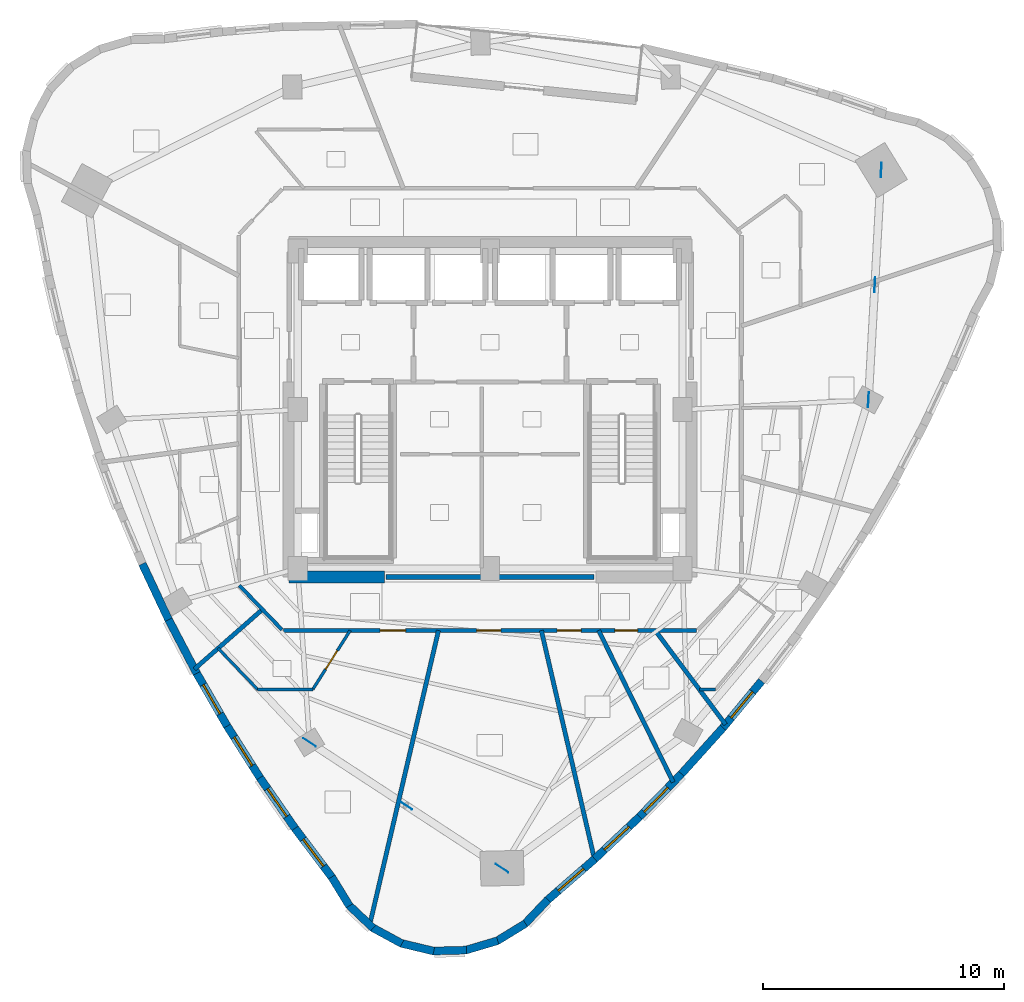
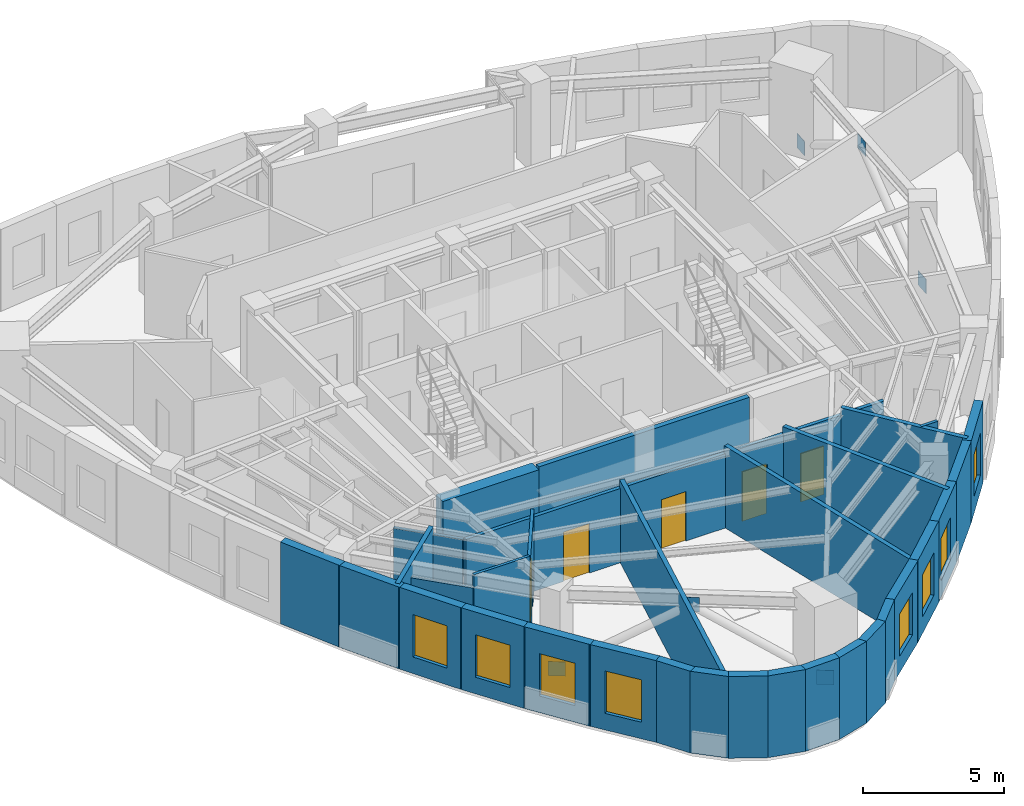
# One storey, part 5 of 12: 32 walls, 8 windows, 6 plates, 5 doors, 13 openings.
"""IFC4 building model written with IfcOpenShell, lengths in metres."""

from ifc_helpers import new_model, si_unit, direction, frame, frame_2d, origin, origin_2d, place, context, subcontext, project, spatial, rectangle, extrude, material, layer, layer_set, type_object, element, fill, save


model = new_model("IFC4")

# Units and contexts
model_context = context("Model", 3, precision=1e-05, world=origin(), true_north=direction((0.0, 1.0)))
body_context = subcontext(model_context, "Body", "Model", "MODEL_VIEW")
ifc_project = project(units=[si_unit("LENGTHUNIT", "METRE"), si_unit("AREAUNIT", "SQUARE_METRE"), si_unit("VOLUMEUNIT", "CUBIC_METRE"), si_unit("PLANEANGLEUNIT", "RADIAN"), si_unit("MASSUNIT", "GRAM", prefix="KILO")], contexts=[model_context])

# Site, building, storey
site_placement = place(None, origin())
site = spatial("IfcSite", under=ifc_project, at=site_placement, CompositionType="ELEMENT")
building_placement = place(site_placement, origin())
building = spatial("IfcBuilding", under=site, at=building_placement, Name="Ndelora Gate Hotel", CompositionType="ELEMENT")
storey_placement = place(building_placement, frame((0.0, 0.0, 190.35009765625)))
storey = spatial("IfcBuildingStorey", under=building, at=storey_placement, Name="L47", CompositionType="ELEMENT", Elevation=190.35009765625)

# Plates
ifc_material_1 = material(Name="Steel S355", Category="steel")
ifc_layer_1 = layer(ifc_material_1, 0.02001953125)
ifc_layer_set_1 = layer_set([ifc_layer_1], Name="Steel S355")
plate_type = type_object("IfcPlateType", Name="PL-NODE-VN1", PredefinedType="USERDEFINED", material=ifc_layer_set_1)
for number, where, z_axis, x_axis, name in (
    (1, (-7.50830078125, -13.828369140625, -0.2900390625), (0.0, 0.0, 1.0), (-0.836955398099, 0.547271104292, 0.0), "Node gusset cap plate VN1"),
    (2, (0.499267578125, -19.064208984375, -0.2900390625), (0.0, 0.0, 1.0), (-0.836955398099, 0.547271104292, 0.0), "Node gusset cap plate VN1"),
    (3, (-3.50439453125, -16.4462890625, 2.68994140625), (0.0, 0.0, 1.0), (-0.836955398099, 0.547271104292, 0.0), "Node gusset cap plate VN1"),
    (4, (15.72998046875, 0.411865234375, -0.2900390625), (0.0, 0.0, 1.0), (0.055472980025, 0.998460188734, 0.0), "Node gusset cap plate VN1"),
    (5, (16.26025390625, 9.96435546875, -0.2900390625), (0.0, 0.0, 1.0), (0.055472980025, 0.998460188734, 0.0), "Node gusset cap plate VN1"),
    (6, (15.9951171875, 5.18798828125, 2.68994140625), (0.0, 0.0, 1.0), (0.055472980025, 0.998460188734, 0.0), "Node gusset cap plate VN1"),
):
    element("IfcPlate", number, at=place(storey_placement, frame(where, z_axis=z_axis, x_axis=x_axis)), inside=storey, type_object=plate_type, Name=name, ObjectType="GUSSET_PLATE", PredefinedType="USERDEFINED", context=body_context, shape_type="SweptSolid", body=[
        extrude(rectangle(XDim=0.6201171875, YDim=0.02001953125, at=origin_2d()), origin(), (0.0, 0.0, 1.0), 0.6201171875),
    ])

# Walls
ifc_material_2 = material(Name="Acoustic Double-Stud Gypsum Assembly", Category="gypsum")
ifc_layer_2 = layer(ifc_material_2, 0.179931640625)
ifc_layer_set_2 = layer_set([ifc_layer_2], Name="Acoustic Double-Stud Gypsum Assembly")
wall_type_1 = type_object("IfcWallType", Name="WL-ACOUST-180", PredefinedType="PARTITIONING", material=ifc_layer_set_2)
wall_1_placement = place(storey_placement, frame((6.866943359375, -9.179931640625, 0.0), z_axis=(0.0, 0.0, 1.0), x_axis=(0.598991453889, -0.800755417195, 0.0)))
element("IfcWall", 7, at=wall_1_placement, inside=storey, type_object=wall_type_1, Name="L47 Interior Wall IW-3", PredefinedType="PARTITIONING", context=body_context, shape_type="SweptSolid", body=[
    extrude(rectangle(XDim=4.882568359375, YDim=0.179931640625, at=frame_2d((2.44140625, 0.0))), origin(), (0.0, 0.0, 1.0), 3.5498046875),
])
wall_2_placement = place(storey_placement, frame((-9.464111328125, -8.3037109375, 0.0), z_axis=(0.0, 0.0, 1.0), x_axis=(-0.751699255643, -0.659506049302, 0.0)))
element("IfcWall", 8, at=wall_2_placement, inside=storey, type_object=wall_type_1, Name="L47 Interior Wall IW-3", PredefinedType="PARTITIONING", context=body_context, shape_type="SweptSolid", body=[
    extrude(rectangle(XDim=3.76025390625, YDim=0.179931640625, at=frame_2d((1.880126953125, 0.0))), origin(), (0.0, 0.0, 1.0), 3.5498046875),
])
wall_3_placement = place(storey_placement, frame((-2.14501953125, -9.179931640625, 0.0), z_axis=(0.0, 0.0, 1.0), x_axis=(-0.22755258656, -0.973765793376, 0.0)))
element("IfcWall", 9, at=wall_3_placement, inside=storey, type_object=wall_type_1, Name="L47 Interior Wall IW-3", PredefinedType="PARTITIONING", context=body_context, shape_type="SweptSolid", body=[
    extrude(rectangle(XDim=12.569091796875, YDim=0.179931640625, at=frame_2d((6.28466796875, 0.0))), origin(), (0.0, 0.0, 1.0), 3.5498046875),
])
wall_4_placement = place(storey_placement, frame((2.131591796875, -9.179931640625, 0.0), z_axis=(0.0, 0.0, 1.0), x_axis=(0.226196232917, -0.974081754379, 0.0)))
element("IfcWall", 10, at=wall_4_placement, inside=storey, type_object=wall_type_1, Name="L47 Interior Wall IW-3", PredefinedType="PARTITIONING", context=body_context, shape_type="SweptSolid", body=[
    extrude(rectangle(XDim=9.762451171875, YDim=0.179931640625, at=frame_2d((4.88134765625, 0.0))), origin(), (0.0, 0.0, 1.0), 3.5498046875),
])
wall_5_placement = place(storey_placement, frame((4.51416015625, -9.179931640625, 0.0), z_axis=(0.0, 0.0, 1.0), x_axis=(0.441285267702, -0.897366877319, 0.0)))
element("IfcWall", 11, at=wall_5_placement, inside=storey, type_object=wall_type_1, Name="L47 Interior Wall IW-3", PredefinedType="PARTITIONING", context=body_context, shape_type="SweptSolid", body=[
    extrude(rectangle(XDim=7.029052734375, YDim=0.179931640625, at=frame_2d((3.5146484375, 0.0))), origin(), (0.0, 0.0, 1.0), 3.5498046875),
])
ifc_material_3 = material(Name="Clay Brick Masonry", Category="masonry")
ifc_layer_3 = layer(ifc_material_3, 0.330078125)
ifc_layer_set_3 = layer_set([ifc_layer_3], Name="Clay Brick Masonry")
wall_type_2 = type_object("IfcWallType", Name="WL-BRICK-330", PredefinedType="SOLIDWALL", material=ifc_layer_set_3)
wall_6_placement = place(storey_placement, frame((-13.364990234375, -8.7314453125, 0.0), z_axis=(0.0, 0.0, 1.0), x_axis=(-0.425774125911, 0.90482948322, 0.0)))
element("IfcWall", 12, at=wall_6_placement, inside=storey, type_object=wall_type_2, Name="L47 Tower Brick Pier-and-Spandrel Wall TWR-15", PredefinedType="SOLIDWALL", context=body_context, shape_type="SweptSolid", body=[
    extrude(rectangle(XDim=2.56591796875, YDim=0.330078125, at=frame_2d((1.282958984375, 0.0))), origin(), (0.0, 0.0, 1.0), 3.5498046875),
])
wall_7_placement = place(storey_placement, frame((-12.196044921875, -10.964599609375, 0.0), z_axis=(0.0, 0.0, 1.0), x_axis=(-0.463361004434, 0.886169611062, 0.0)))
element("IfcWall", 13, at=wall_7_placement, inside=storey, type_object=wall_type_2, Name="L47 Tower Brick Pier-and-Spandrel Wall TWR-16", PredefinedType="SOLIDWALL", context=body_context, shape_type="SweptSolid", body=[
    extrude(rectangle(XDim=2.57080078125, YDim=0.330078125, at=frame_2d((1.285400390625, 0.0))), origin(), (0.0, 0.0, 1.0), 3.5498046875),
])

# Wall, opening, window
wall_8_placement = place(storey_placement, frame((-10.930908203125, -13.15478515625, 0.0), z_axis=(0.0, 0.0, 1.0), x_axis=(-0.499875407217, 0.866097325513, 0.0)))
wall_8 = element("IfcWall", 14, at=wall_8_placement, inside=storey, type_object=wall_type_2, Name="L47 Tower Brick Pier-and-Spandrel Wall TWR-17", PredefinedType="SOLIDWALL", context=body_context, shape_type="SweptSolid", body=[
    extrude(rectangle(XDim=2.579345703125, YDim=0.330078125, at=frame_2d((1.28955078125, 0.0))), origin(), (0.0, 0.0, 1.0), 3.5498046875),
])
opening_1_placement = place(wall_8_placement, frame((0.589599609375, 0.0, 0.719970703125)))
opening_1 = element("IfcOpeningElement", 15, at=opening_1_placement, cuts=wall_8, Name="Opening W02", PredefinedType="OPENING", context=body_context, shape_type="SweptSolid", body=[
    extrude(rectangle(XDim=1.39990234375, YDim=1.840087890625, at=frame_2d((0.699951171875, 0.919921875))), frame((0.0, 0.175048828125, 0.0), z_axis=(0.0, -1.0, 0.0), x_axis=(1.0, 0.0, 0.0)), (0.0, 0.0, 1.0), 0.35009765625),
])
ifc_material_4 = material(Name="Insulated Low-E Double Glazing in Bronze Aluminium Frame", Category="aluminium")
window_type = type_object("IfcWindowType", Name="WN-DEEP-1400", PartitioningType="SINGLE_PANEL", PredefinedType="WINDOW", material=ifc_material_4)
window_1_placement = place(opening_1_placement, origin())
window_1 = element("IfcWindow", 16, at=window_1_placement, inside=storey, type_object=window_type, Name="L47 Deep-Set Brick-Pier Window W02", OverallHeight=1.840087890625, OverallWidth=1.39990234375, PartitioningType="SINGLE_PANEL", PredefinedType="WINDOW", context=body_context, shape_type="SweptSolid", body=[
    extrude(rectangle(XDim=1.39990234375, YDim=1.840087890625, at=frame_2d((0.699951171875, 0.919921875))), frame((0.0, 0.030029296875, 0.0), z_axis=(0.0, -1.0, 0.0), x_axis=(1.0, 0.0, 0.0)), (0.0, 0.0, 1.0), 0.06005859375),
])
fill(opening_1, window_1)

wall_9_placement = place(storey_placement, frame((-9.5693359375, -15.302001953125, 0.0), z_axis=(0.0, 0.0, 1.0), x_axis=(-0.535186500918, 0.844733928072, 0.0)))
wall_9 = element("IfcWall", 17, at=wall_9_placement, inside=storey, type_object=wall_type_2, Name="L47 Tower Brick Pier-and-Spandrel Wall TWR-18", PredefinedType="SOLIDWALL", context=body_context, shape_type="SweptSolid", body=[
    extrude(rectangle(XDim=2.592529296875, YDim=0.330078125, at=frame_2d((1.29638671875, 0.0))), origin(), (0.0, 0.0, 1.0), 3.5498046875),
])
opening_2_placement = place(wall_9_placement, frame((0.59619140625, 0.0, 0.719970703125)))
opening_2 = element("IfcOpeningElement", 18, at=opening_2_placement, cuts=wall_9, Name="Opening W02", PredefinedType="OPENING", context=body_context, shape_type="SweptSolid", body=[
    extrude(rectangle(XDim=1.39990234375, YDim=1.840087890625, at=frame_2d((0.699951171875, 0.919921875))), frame((0.0, 0.175048828125, 0.0), z_axis=(0.0, -1.0, 0.0), x_axis=(1.0, 0.0, 0.0)), (0.0, 0.0, 1.0), 0.35009765625),
])
window_2_placement = place(opening_2_placement, origin())
window_2 = element("IfcWindow", 19, at=window_2_placement, inside=storey, type_object=window_type, Name="L47 Deep-Set Brick-Pier Window W02", OverallHeight=1.840087890625, OverallWidth=1.39990234375, PartitioningType="SINGLE_PANEL", PredefinedType="WINDOW", context=body_context, shape_type="SweptSolid", body=[
    extrude(rectangle(XDim=1.39990234375, YDim=1.840087890625, at=frame_2d((0.699951171875, 0.919921875))), frame((0.0, 0.030029296875, 0.0), z_axis=(0.0, -1.0, 0.0), x_axis=(1.0, 0.0, 0.0)), (0.0, 0.0, 1.0), 0.06005859375),
])
fill(opening_2, window_2)

wall_10_placement = place(storey_placement, frame((-8.111572265625, -17.406494140625, 0.0), z_axis=(0.0, 0.0, 1.0), x_axis=(-0.569122418308, 0.822252803571, 0.0)))
wall_10 = element("IfcWall", 20, at=wall_10_placement, inside=storey, type_object=wall_type_2, Name="L47 Tower Brick Pier-and-Spandrel Wall TWR-19", PredefinedType="SOLIDWALL", context=body_context, shape_type="SweptSolid", body=[
    extrude(rectangle(XDim=2.60986328125, YDim=0.330078125, at=frame_2d((1.304931640625, 0.0))), origin(), (0.0, 0.0, 1.0), 3.5498046875),
])
opening_3_placement = place(wall_10_placement, frame((0.60498046875, 0.0, 0.719970703125)))
opening_3 = element("IfcOpeningElement", 21, at=opening_3_placement, cuts=wall_10, Name="Opening W02", PredefinedType="OPENING", context=body_context, shape_type="SweptSolid", body=[
    extrude(rectangle(XDim=1.39990234375, YDim=1.840087890625, at=frame_2d((0.699951171875, 0.919921875))), frame((0.0, 0.175048828125, 0.0), z_axis=(0.0, -1.0, 0.0), x_axis=(1.0, 0.0, 0.0)), (0.0, 0.0, 1.0), 0.35009765625),
])
window_3_placement = place(opening_3_placement, origin())
window_3 = element("IfcWindow", 22, at=window_3_placement, inside=storey, type_object=window_type, Name="L47 Deep-Set Brick-Pier Window W02", OverallHeight=1.840087890625, OverallWidth=1.39990234375, PartitioningType="SINGLE_PANEL", PredefinedType="WINDOW", context=body_context, shape_type="SweptSolid", body=[
    extrude(rectangle(XDim=1.39990234375, YDim=1.840087890625, at=frame_2d((0.699951171875, 0.919921875))), frame((0.0, 0.030029296875, 0.0), z_axis=(0.0, -1.0, 0.0), x_axis=(1.0, 0.0, 0.0)), (0.0, 0.0, 1.0), 0.06005859375),
])
fill(opening_3, window_3)

wall_11_placement = place(storey_placement, frame((-6.55712890625, -19.4677734375, 0.0), z_axis=(0.0, 0.0, 1.0), x_axis=(-0.601735324528, 0.798695561034, 0.0)))
wall_11 = element("IfcWall", 23, at=wall_11_placement, inside=storey, type_object=wall_type_2, Name="L47 Tower Brick Pier-and-Spandrel Wall TWR-20", PredefinedType="SOLIDWALL", context=body_context, shape_type="SweptSolid", body=[
    extrude(rectangle(XDim=2.631591796875, YDim=0.330078125, at=frame_2d((1.31591796875, 0.0))), origin(), (0.0, 0.0, 1.0), 3.5498046875),
])
opening_4_placement = place(wall_11_placement, frame((0.61572265625, 0.0, 0.719970703125)))
opening_4 = element("IfcOpeningElement", 24, at=opening_4_placement, cuts=wall_11, Name="Opening W02", PredefinedType="OPENING", context=body_context, shape_type="SweptSolid", body=[
    extrude(rectangle(XDim=1.39990234375, YDim=1.840087890625, at=frame_2d((0.699951171875, 0.919921875))), frame((0.0, 0.175048828125, 0.0), z_axis=(0.0, -1.0, 0.0), x_axis=(1.0, 0.0, 0.0)), (0.0, 0.0, 1.0), 0.35009765625),
])
window_4_placement = place(opening_4_placement, origin())
window_4 = element("IfcWindow", 25, at=window_4_placement, inside=storey, type_object=window_type, Name="L47 Deep-Set Brick-Pier Window W02", OverallHeight=1.840087890625, OverallWidth=1.39990234375, PartitioningType="SINGLE_PANEL", PredefinedType="WINDOW", context=body_context, shape_type="SweptSolid", body=[
    extrude(rectangle(XDim=1.39990234375, YDim=1.840087890625, at=frame_2d((0.699951171875, 0.919921875))), frame((0.0, 0.030029296875, 0.0), z_axis=(0.0, -1.0, 0.0), x_axis=(1.0, 0.0, 0.0)), (0.0, 0.0, 1.0), 0.06005859375),
])
fill(opening_4, window_4)

# Walls
for number, where, z_axis, x_axis, name in (
    (26, (-5.849853515625, -20.626708984375, 0.0), (0.0, 0.0, 1.0), (-0.522431898615, 0.852681013809, 0.0), "L47 Tower Brick Pier-and-Spandrel Wall TWR-21"),
    (27, (-4.860107421875, -21.556884765625, 0.0), (0.0, 0.0, 1.0), (-0.725423722687, 0.688302566146, 0.0), "L47 Tower Brick Pier-and-Spandrel Wall TWR-22"),
):
    element("IfcWall", number, at=place(storey_placement, frame(where, z_axis=z_axis, x_axis=x_axis)), inside=storey, type_object=wall_type_2, Name=name, PredefinedType="SOLIDWALL", context=body_context, shape_type="SweptSolid", body=[
        extrude(rectangle(XDim=1.407470703125, YDim=0.330078125, at=frame_2d((0.70361328125, 0.0))), origin(), (0.0, 0.0, 1.0), 3.5498046875),
    ])
wall_12_placement = place(storey_placement, frame((-3.663330078125, -22.19921875, 0.0), z_axis=(0.0, 0.0, 1.0), x_axis=(-0.878861744685, 0.477076549129, 0.0)))
element("IfcWall", 28, at=wall_12_placement, inside=storey, type_object=wall_type_2, Name="L47 Tower Brick Pier-and-Spandrel Wall TWR-23", PredefinedType="SOLIDWALL", context=body_context, shape_type="SweptSolid", body=[
    extrude(rectangle(XDim=1.4072265625, YDim=0.330078125, at=frame_2d((0.70361328125, 0.0))), origin(), (0.0, 0.0, 1.0), 3.5498046875),
])
for number, where, z_axis, x_axis, name in (
    (29, (-2.341064453125, -22.510009765625, 0.0), (0.0, 0.0, 1.0), (-0.972404618844, 0.233300787076, 0.0), "L47 Tower Brick Pier-and-Spandrel Wall TWR-24"),
    (30, (-0.9833984375, -22.468017578125, 0.0), (0.0, 0.0, 1.0), (-0.999656913907, -0.02619264168, 0.0), "L47 Tower Brick Pier-and-Spandrel Wall TWR-25"),
    (31, (0.3173828125, -22.076171875, 0.0), (0.0, 0.0, 1.0), (-0.95884184708, -0.283940684455, 0.0), "L47 Tower Brick Pier-and-Spandrel Wall TWR-26"),
):
    element("IfcWall", number, at=place(storey_placement, frame(where, z_axis=z_axis, x_axis=x_axis)), inside=storey, type_object=wall_type_2, Name=name, PredefinedType="SOLIDWALL", context=body_context, shape_type="SweptSolid", body=[
        extrude(rectangle(XDim=1.407470703125, YDim=0.330078125, at=frame_2d((0.70361328125, 0.0))), origin(), (0.0, 0.0, 1.0), 3.5498046875),
    ])
wall_13_placement = place(storey_placement, frame((1.471923828125, -21.36083984375, 0.0), z_axis=(0.0, 0.0, 1.0), x_axis=(-0.852633662668, -0.522509174355, 0.0)))
element("IfcWall", 32, at=wall_13_placement, inside=storey, type_object=wall_type_2, Name="L47 Tower Brick Pier-and-Spandrel Wall TWR-27", PredefinedType="SOLIDWALL", context=body_context, shape_type="SweptSolid", body=[
    extrude(rectangle(XDim=1.4072265625, YDim=0.330078125, at=frame_2d((0.70361328125, 0.0))), origin(), (0.0, 0.0, 1.0), 3.5498046875),
])
wall_14_placement = place(storey_placement, frame((2.40234375, -20.37109375, 0.0), z_axis=(0.0, 0.0, 1.0), x_axis=(-0.688302566146, -0.725423722687, 0.0)))
element("IfcWall", 33, at=wall_14_placement, inside=storey, type_object=wall_type_2, Name="L47 Tower Brick Pier-and-Spandrel Wall TWR-28", PredefinedType="SOLIDWALL", context=body_context, shape_type="SweptSolid", body=[
    extrude(rectangle(XDim=1.407470703125, YDim=0.330078125, at=frame_2d((0.70361328125, 0.0))), origin(), (0.0, 0.0, 1.0), 3.5498046875),
])

# Wall, opening, window
wall_15_placement = place(storey_placement, frame((4.352294921875, -18.678955078125, 0.0), z_axis=(0.0, 0.0, 1.0), x_axis=(-0.754647459821, -0.656130483505, 0.0)))
wall_15 = element("IfcWall", 34, at=wall_15_placement, inside=storey, type_object=wall_type_2, Name="L47 Tower Brick Pier-and-Spandrel Wall TWR-29", PredefinedType="SOLIDWALL", context=body_context, shape_type="SweptSolid", body=[
    extrude(rectangle(XDim=2.6318359375, YDim=0.330078125, at=frame_2d((1.31591796875, 0.0))), origin(), (0.0, 0.0, 1.0), 3.5498046875),
])
opening_5_placement = place(wall_15_placement, frame((0.61572265625, 0.0, 0.719970703125)))
opening_5 = element("IfcOpeningElement", 35, at=opening_5_placement, cuts=wall_15, Name="Opening W02", PredefinedType="OPENING", context=body_context, shape_type="SweptSolid", body=[
    extrude(rectangle(XDim=1.39990234375, YDim=1.840087890625, at=frame_2d((0.699951171875, 0.919921875))), frame((0.0, 0.175048828125, 0.0), z_axis=(0.0, -1.0, 0.0), x_axis=(1.0, 0.0, 0.0)), (0.0, 0.0, 1.0), 0.35009765625),
])
window_5_placement = place(opening_5_placement, origin())
window_5 = element("IfcWindow", 36, at=window_5_placement, inside=storey, type_object=window_type, Name="L47 Deep-Set Brick-Pier Window W02", OverallHeight=1.840087890625, OverallWidth=1.39990234375, PartitioningType="SINGLE_PANEL", PredefinedType="WINDOW", context=body_context, shape_type="SweptSolid", body=[
    extrude(rectangle(XDim=1.39990234375, YDim=1.840087890625, at=frame_2d((0.699951171875, 0.919921875))), frame((0.0, 0.030029296875, 0.0), z_axis=(0.0, -1.0, 0.0), x_axis=(1.0, 0.0, 0.0)), (0.0, 0.0, 1.0), 0.06005859375),
])
fill(opening_5, window_5)

wall_16_placement = place(storey_placement, frame((6.214599609375, -16.92236328125, 0.0), z_axis=(0.0, 0.0, 1.0), x_axis=(-0.72774946529, -0.685843069346, 0.0)))
wall_16 = element("IfcWall", 37, at=wall_16_placement, inside=storey, type_object=wall_type_2, Name="L47 Tower Brick Pier-and-Spandrel Wall TWR-30", PredefinedType="SOLIDWALL", context=body_context, shape_type="SweptSolid", body=[
    extrude(rectangle(XDim=2.60986328125, YDim=0.330078125, at=frame_2d((1.304931640625, 0.0))), origin(), (0.0, 0.0, 1.0), 3.5498046875),
])
opening_6_placement = place(wall_16_placement, frame((0.60498046875, 0.0, 0.719970703125)))
opening_6 = element("IfcOpeningElement", 38, at=opening_6_placement, cuts=wall_16, Name="Opening W02", PredefinedType="OPENING", context=body_context, shape_type="SweptSolid", body=[
    extrude(rectangle(XDim=1.39990234375, YDim=1.840087890625, at=frame_2d((0.699951171875, 0.919921875))), frame((0.0, 0.175048828125, 0.0), z_axis=(0.0, -1.0, 0.0), x_axis=(1.0, 0.0, 0.0)), (0.0, 0.0, 1.0), 0.35009765625),
])
window_6_placement = place(opening_6_placement, origin())
window_6 = element("IfcWindow", 39, at=window_6_placement, inside=storey, type_object=window_type, Name="L47 Deep-Set Brick-Pier Window W02", OverallHeight=1.840087890625, OverallWidth=1.39990234375, PartitioningType="SINGLE_PANEL", PredefinedType="WINDOW", context=body_context, shape_type="SweptSolid", body=[
    extrude(rectangle(XDim=1.39990234375, YDim=1.840087890625, at=frame_2d((0.699951171875, 0.919921875))), frame((0.0, 0.030029296875, 0.0), z_axis=(0.0, -1.0, 0.0), x_axis=(1.0, 0.0, 0.0)), (0.0, 0.0, 1.0), 0.06005859375),
])
fill(opening_6, window_6)

wall_17_placement = place(storey_placement, frame((7.9912109375, -15.103515625, 0.0), z_axis=(0.0, 0.0, 1.0), x_axis=(-0.699057723408, -0.71506524132, 0.0)))
wall_17 = element("IfcWall", 40, at=wall_17_placement, inside=storey, type_object=wall_type_2, Name="L47 Tower Brick Pier-and-Spandrel Wall TWR-31", PredefinedType="SOLIDWALL", context=body_context, shape_type="SweptSolid", body=[
    extrude(rectangle(XDim=2.5927734375, YDim=0.330078125, at=frame_2d((1.29638671875, 0.0))), origin(), (0.0, 0.0, 1.0), 3.5498046875),
])
opening_7_placement = place(wall_17_placement, frame((0.860107421875, 0.0, 0.719970703125)))
opening_7 = element("IfcOpeningElement", 41, at=opening_7_placement, cuts=wall_17, Name="Opening W02", PredefinedType="OPENING", context=body_context, shape_type="SweptSolid", body=[
    extrude(rectangle(XDim=1.39990234375, YDim=1.840087890625, at=frame_2d((0.699951171875, 0.919921875))), frame((0.0, 0.175048828125, 0.0), z_axis=(0.0, -1.0, 0.0), x_axis=(1.0, 0.0, 0.0)), (0.0, 0.0, 1.0), 0.35009765625),
])
window_7_placement = place(opening_7_placement, origin())
window_7 = element("IfcWindow", 42, at=window_7_placement, inside=storey, type_object=window_type, Name="L47 Deep-Set Brick-Pier Window W02", OverallHeight=1.840087890625, OverallWidth=1.39990234375, PartitioningType="SINGLE_PANEL", PredefinedType="WINDOW", context=body_context, shape_type="SweptSolid", body=[
    extrude(rectangle(XDim=1.39990234375, YDim=1.840087890625, at=frame_2d((0.699951171875, 0.919921875))), frame((0.0, 0.030029296875, 0.0), z_axis=(0.0, -1.0, 0.0), x_axis=(1.0, 0.0, 0.0)), (0.0, 0.0, 1.0), 0.06005859375),
])
fill(opening_7, window_7)

# Wall
wall_18_placement = place(storey_placement, frame((9.6826171875, -13.222900390625, 0.0), z_axis=(0.0, 0.0, 1.0), x_axis=(-0.668980419183, -0.743280027143, 0.0)))
element("IfcWall", 43, at=wall_18_placement, inside=storey, type_object=wall_type_2, Name="L47 Tower Brick Pier-and-Spandrel Wall TWR-32", PredefinedType="SOLIDWALL", context=body_context, shape_type="SweptSolid", body=[
    extrude(rectangle(XDim=2.579345703125, YDim=0.330078125, at=frame_2d((1.28955078125, 0.0))), origin(), (0.0, 0.0, 1.0), 3.5498046875),
])

# Wall, opening, window
wall_19_placement = place(storey_placement, frame((11.28857421875, -11.280029296875, 0.0), z_axis=(0.0, 0.0, 1.0), x_axis=(-0.637443312207, -0.77049725744, 0.0)))
wall_19 = element("IfcWall", 44, at=wall_19_placement, inside=storey, type_object=wall_type_2, Name="L47 Tower Brick Pier-and-Spandrel Wall TWR-33", PredefinedType="SOLIDWALL", context=body_context, shape_type="SweptSolid", body=[
    extrude(rectangle(XDim=2.57080078125, YDim=0.330078125, at=frame_2d((1.285400390625, 0.0))), origin(), (0.0, 0.0, 1.0), 3.5498046875),
])
opening_8_placement = place(wall_19_placement, frame((0.585205078125, 0.0, 0.719970703125)))
opening_8 = element("IfcOpeningElement", 45, at=opening_8_placement, cuts=wall_19, Name="Opening W02", PredefinedType="OPENING", context=body_context, shape_type="SweptSolid", body=[
    extrude(rectangle(XDim=1.39990234375, YDim=1.840087890625, at=frame_2d((0.699951171875, 0.919921875))), frame((0.0, 0.175048828125, 0.0), z_axis=(0.0, -1.0, 0.0), x_axis=(1.0, 0.0, 0.0)), (0.0, 0.0, 1.0), 0.35009765625),
])
window_8_placement = place(opening_8_placement, origin())
window_8 = element("IfcWindow", 46, at=window_8_placement, inside=storey, type_object=window_type, Name="L47 Deep-Set Brick-Pier Window W02", OverallHeight=1.840087890625, OverallWidth=1.39990234375, PartitioningType="SINGLE_PANEL", PredefinedType="WINDOW", context=body_context, shape_type="SweptSolid", body=[
    extrude(rectangle(XDim=1.39990234375, YDim=1.840087890625, at=frame_2d((0.699951171875, 0.919921875))), frame((0.0, 0.030029296875, 0.0), z_axis=(0.0, -1.0, 0.0), x_axis=(1.0, 0.0, 0.0)), (0.0, 0.0, 1.0), 0.06005859375),
])
fill(opening_8, window_8)

# Walls
ifc_material_5 = material(Name="Concrete C50/60", Category="concrete")
ifc_layer_4 = layer(ifc_material_5, 0.5)
ifc_layer_set_4 = layer_set([ifc_layer_4], Name="Concrete C50/60")
wall_type_3 = type_object("IfcWallType", Name="WL-CORE-500", PredefinedType="SHEAR", material=ifc_layer_set_4)
wall_20_placement = place(storey_placement, frame((-8.35009765625, -6.949951171875, 0.0), z_axis=(0.0, 0.0, 1.0), x_axis=(1.0, 0.0, 0.0)))
element("IfcWall", 47, at=wall_20_placement, inside=storey, type_object=wall_type_3, Name="L47 Core Shear Wall S-W", PredefinedType="SHEAR", context=body_context, shape_type="SweptSolid", body=[
    extrude(rectangle(XDim=3.9501953125, YDim=0.5, at=frame_2d((1.97509765625, 0.0))), origin(), (0.0, 0.0, 1.0), 3.5498046875),
])
ifc_material_6 = material(Name="Concrete C40/50", Category="concrete")
ifc_layer_5 = layer(ifc_material_6, 0.199951171875)
ifc_layer_set_5 = layer_set([ifc_layer_5], Name="Concrete C40/50")
wall_type_4 = type_object("IfcWallType", Name="WL-FIRE-200", PredefinedType="PARTITIONING", material=ifc_layer_set_5)
wall_21_placement = place(storey_placement, frame((-4.320068359375, -6.949951171875, 0.0), z_axis=(0.0, 0.0, 1.0), x_axis=(1.0, 0.0, 0.0)))
element("IfcWall", 48, at=wall_21_placement, inside=storey, type_object=wall_type_4, Name="L47 Interior Wall IW-2", PredefinedType="PARTITIONING", context=body_context, shape_type="SweptSolid", body=[
    extrude(rectangle(XDim=8.64013671875, YDim=0.199951171875, at=frame_2d((4.320068359375, 0.0))), origin(), (0.0, 0.0, 1.0), 3.5498046875),
])

# Wall, openings, doors
ifc_material_7 = material(Name="Fire-Rated Gypsum Stud Partition", Category="gypsum")
ifc_layer_6 = layer(ifc_material_7, 0.14990234375)
ifc_layer_set_6 = layer_set([ifc_layer_6], Name="Fire-Rated Gypsum Stud Partition")
wall_type_5 = type_object("IfcWallType", Name="WL-PART-150", PredefinedType="PARTITIONING", material=ifc_layer_set_6)
wall_22_placement = place(storey_placement, frame((8.580078125, -9.179931640625, 0.0), z_axis=(0.0, 0.0, 1.0), x_axis=(-1.0, 0.0, 0.0)))
wall_22 = element("IfcWall", 49, at=wall_22_placement, inside=storey, type_object=wall_type_5, Name="L47 Interior Wall IW-5", PredefinedType="PARTITIONING", context=body_context, shape_type="SweptSolid", body=[
    extrude(rectangle(XDim=17.16015625, YDim=0.14990234375, at=frame_2d((8.580078125, 0.0))), origin(), (0.0, 0.0, 1.0), 3.22998046875),
])
opening_9_placement = place(wall_22_placement, frame((2.4443359375, 0.0, 0.0)))
opening_9 = element("IfcOpeningElement", 50, at=opening_9_placement, cuts=wall_22, Name="Opening D05", PredefinedType="OPENING", context=body_context, shape_type="SweptSolid", body=[
    extrude(rectangle(XDim=0.949951171875, YDim=2.10009765625, at=frame_2d((0.47509765625, 1.050048828125))), frame((0.0, 0.0849609375, 0.0), z_axis=(0.0, -1.0, 0.0), x_axis=(1.0, 0.0, 0.0)), (0.0, 0.0, 1.0), 0.169921875),
])
opening_10_placement = place(wall_22_placement, frame((4.7978515625, 0.0, 0.0)))
opening_10 = element("IfcOpeningElement", 51, at=opening_10_placement, cuts=wall_22, Name="Opening D01", PredefinedType="OPENING", context=body_context, shape_type="SweptSolid", body=[
    extrude(rectangle(XDim=1.0, YDim=2.14990234375, at=frame_2d((0.5, 1.074951171875))), frame((0.0, 0.0849609375, 0.0), z_axis=(0.0, -1.0, 0.0), x_axis=(1.0, 0.0, 0.0)), (0.0, 0.0, 1.0), 0.169921875),
])
opening_11_placement = place(wall_22_placement, frame((12.09619140625, 0.0, 0.0)))
opening_11 = element("IfcOpeningElement", 52, at=opening_11_placement, cuts=wall_22, Name="Opening D07", PredefinedType="OPENING", context=body_context, shape_type="SweptSolid", body=[
    extrude(rectangle(XDim=1.06005859375, YDim=2.14990234375, at=frame_2d((0.530029296875, 1.074951171875))), frame((0.0, 0.0849609375, 0.0), z_axis=(0.0, -1.0, 0.0), x_axis=(1.0, 0.0, 0.0)), (0.0, 0.0, 1.0), 0.169921875),
])
opening_12_placement = place(wall_22_placement, frame((8.13671875, 0.0, 0.0)))
opening_12 = element("IfcOpeningElement", 53, at=opening_12_placement, cuts=wall_22, Name="Opening D01", PredefinedType="OPENING", context=body_context, shape_type="SweptSolid", body=[
    extrude(rectangle(XDim=1.0, YDim=2.14990234375, at=frame_2d((0.5, 1.074951171875))), frame((0.0, 0.0849609375, 0.0), z_axis=(0.0, -1.0, 0.0), x_axis=(1.0, 0.0, 0.0)), (0.0, 0.0, 1.0), 0.169921875),
])
ifc_material_8 = material(Name="Accessible Restroom Wide-Clearance Door", Category="wood")
door_type_1 = type_object("IfcDoorType", Name="DR-ACC-950", OperationType="SINGLE_SWING_LEFT", PredefinedType="DOOR", material=ifc_material_8)
door_1_placement = place(opening_9_placement, origin())
door_1 = element("IfcDoor", 54, at=door_1_placement, inside=storey, type_object=door_type_1, Name="L47 Accessible WC Entrance Door", OperationType="SINGLE_SWING_RIGHT", OverallHeight=2.10009765625, OverallWidth=0.949951171875, PredefinedType="DOOR", context=body_context, shape_type="SweptSolid", body=[
    extrude(rectangle(XDim=0.949951171875, YDim=2.10009765625, at=frame_2d((0.47509765625, 1.050048828125))), frame((0.0, 0.02490234375, 0.0), z_axis=(0.0, -1.0, 0.0), x_axis=(1.0, 0.0, 0.0)), (0.0, 0.0, 1.0), 0.050048828125),
])
fill(opening_9, door_1)
ifc_material_9 = material(Name="Acoustic Hardwood Guest Entrance Door", Category="wood")
door_type_2 = type_object("IfcDoorType", Name="DR-COR-1000", OperationType="SINGLE_SWING_LEFT", PredefinedType="DOOR", material=ifc_material_9)
door_2_placement = place(opening_10_placement, origin())
door_2 = element("IfcDoor", 55, at=door_2_placement, inside=storey, type_object=door_type_2, Name="L47 Housekeeping and Linen Room Entrance Door", OperationType="SINGLE_SWING_RIGHT", OverallHeight=2.14990234375, OverallWidth=1.0, PredefinedType="DOOR", context=body_context, shape_type="SweptSolid", body=[
    extrude(rectangle(XDim=1.0, YDim=2.14990234375, at=frame_2d((0.5, 1.074951171875))), frame((0.0, 0.02490234375, 0.0), z_axis=(0.0, -1.0, 0.0), x_axis=(1.0, 0.0, 0.0)), (0.0, 0.0, 1.0), 0.050048828125),
])
fill(opening_10, door_2)
door_3_placement = place(opening_12_placement, origin())
door_3 = element("IfcDoor", 56, at=door_3_placement, inside=storey, type_object=door_type_2, Name="L47 Butler Service Kitchen Entrance Door", OperationType="SINGLE_SWING_LEFT", OverallHeight=2.14990234375, OverallWidth=1.0, PredefinedType="DOOR", context=body_context, shape_type="SweptSolid", body=[
    extrude(rectangle(XDim=1.0, YDim=2.14990234375, at=frame_2d((0.5, 1.074951171875))), frame((0.0, 0.02490234375, 0.0), z_axis=(0.0, -1.0, 0.0), x_axis=(1.0, 0.0, 0.0)), (0.0, 0.0, 1.0), 0.050048828125),
])
fill(opening_12, door_3)
ifc_material_10 = material(Name="Diplomatic Suite Acoustic Entrance Door", Category="wood")
door_type_3 = type_object("IfcDoorType", Name="DR-SUITE-1060", OperationType="SINGLE_SWING_LEFT", PredefinedType="DOOR", material=ifc_material_10)
door_4_placement = place(opening_11_placement, origin())
door_4 = element("IfcDoor", 57, at=door_4_placement, inside=storey, type_object=door_type_3, Name="L47 Executive Sky Suite 5007 Entrance Door", OperationType="SINGLE_SWING_RIGHT", OverallHeight=2.14990234375, OverallWidth=1.06005859375, PredefinedType="DOOR", context=body_context, shape_type="SweptSolid", body=[
    extrude(rectangle(XDim=1.06005859375, YDim=2.14990234375, at=frame_2d((0.530029296875, 1.074951171875))), frame((0.0, 0.02490234375, 0.0), z_axis=(0.0, -1.0, 0.0), x_axis=(1.0, 0.0, 0.0)), (0.0, 0.0, 1.0), 0.050048828125),
])
fill(opening_11, door_4)

# Walls
wall_23_placement = place(storey_placement, frame((-8.647705078125, -9.151123046875, 0.0), z_axis=(0.0, 0.0, 1.0), x_axis=(-0.693764562202, 0.720201869085, 0.0)))
element("IfcWall", 58, at=wall_23_placement, inside=storey, type_object=wall_type_5, Name="L47 Interior Wall IW-5", PredefinedType="PARTITIONING", context=body_context, shape_type="SweptSolid", body=[
    extrude(rectangle(XDim=2.55810546875, YDim=0.14990234375, at=frame_2d((1.279052734375, 0.0))), origin(), (0.0, 0.0, 1.0), 3.22998046875),
])
ifc_material_11 = material(Name="Moisture-Resistant Bathroom Tile Partition", Category="gypsum")
ifc_layer_7 = layer(ifc_material_11, 0.1201171875)
ifc_layer_set_7 = layer_set([ifc_layer_7], Name="Moisture-Resistant Bathroom Tile Partition")
wall_type_6 = type_object("IfcWallType", Name="WL-WET-120", PredefinedType="PARTITIONING", material=ifc_layer_set_7)
wall_24_placement = place(storey_placement, frame((8.69970703125, -11.6298828125, 0.0), z_axis=(0.0, 0.0, 1.0), x_axis=(1.0, 0.0, 0.0)))
element("IfcWall", 59, at=wall_24_placement, inside=storey, type_object=wall_type_6, Name="L47 Interior Wall IW-7", PredefinedType="PARTITIONING", context=body_context, shape_type="SweptSolid", body=[
    extrude(rectangle(XDim=0.677001953125, YDim=0.1201171875, at=frame_2d((0.33837890625, 0.0))), origin(), (0.0, 0.0, 1.0), 3.5498046875),
])

# Wall, opening, door
wall_25_placement = place(storey_placement, frame((-5.818603515625, -9.179931640625, 0.0), z_axis=(0.0, 0.0, 1.0), x_axis=(-0.535382431743, -0.844609763015, 0.0)))
wall_25 = element("IfcWall", 60, at=wall_25_placement, inside=storey, type_object=wall_type_6, Name="L47 Interior Wall IW-7", PredefinedType="PARTITIONING", context=body_context, shape_type="SweptSolid", body=[
    extrude(rectangle(XDim=2.900634765625, YDim=0.1201171875, at=frame_2d((1.4501953125, 0.0))), origin(), (0.0, 0.0, 1.0), 3.5498046875),
])
opening_13_placement = place(wall_25_placement, frame((0.990234375, 0.0, 0.0)))
opening_13 = element("IfcOpeningElement", 61, at=opening_13_placement, cuts=wall_25, Name="Opening D03", PredefinedType="OPENING", context=body_context, shape_type="SweptSolid", body=[
    extrude(rectangle(XDim=0.919921875, YDim=2.10009765625, at=frame_2d((0.4599609375, 1.050048828125))), frame((0.0, 0.070068359375, 0.0), z_axis=(0.0, -1.0, 0.0), x_axis=(1.0, 0.0, 0.0)), (0.0, 0.0, 1.0), 0.14013671875),
])
ifc_material_12 = material(Name="Moisture-Resistant Hardwood En-Suite Door", Category="wood")
door_type_4 = type_object("IfcDoorType", Name="DR-BATH-920", OperationType="SINGLE_SWING_LEFT", PredefinedType="DOOR", material=ifc_material_12)
door_5_placement = place(opening_13_placement, origin())
door_5 = element("IfcDoor", 62, at=door_5_placement, inside=storey, type_object=door_type_4, Name="L47 En-suite Bathroom 5007 Door", OperationType="SINGLE_SWING_RIGHT", OverallHeight=2.10009765625, OverallWidth=0.919921875, PredefinedType="DOOR", context=body_context, shape_type="SweptSolid", body=[
    extrude(rectangle(XDim=0.919921875, YDim=2.10009765625, at=frame_2d((0.4599609375, 1.050048828125))), frame((0.0, 0.02490234375, 0.0), z_axis=(0.0, -1.0, 0.0), x_axis=(1.0, 0.0, 0.0)), (0.0, 0.0, 1.0), 0.050048828125),
])
fill(opening_13, door_5)

# Walls
wall_26_placement = place(storey_placement, frame((-7.37158203125, -11.6298828125, 0.0), z_axis=(0.0, 0.0, 1.0), x_axis=(-1.0, 0.0, 0.0)))
element("IfcWall", 63, at=wall_26_placement, inside=storey, type_object=wall_type_6, Name="L47 Interior Wall IW-7", PredefinedType="PARTITIONING", context=body_context, shape_type="SweptSolid", body=[
    extrude(rectangle(XDim=2.290283203125, YDim=0.1201171875, at=frame_2d((1.14501953125, 0.0))), origin(), (0.0, 0.0, 1.0), 3.5498046875),
])
wall_27_placement = place(storey_placement, frame((-11.3076171875, -9.921142578125, 0.0), z_axis=(0.0, 0.0, 1.0), x_axis=(0.693706945125, -0.7202573667, 0.0)))
element("IfcWall", 64, at=wall_27_placement, inside=storey, type_object=wall_type_6, Name="L47 Interior Wall IW-7", PredefinedType="PARTITIONING", context=body_context, shape_type="SweptSolid", body=[
    extrude(rectangle(XDim=2.372314453125, YDim=0.1201171875, at=frame_2d((1.18603515625, 0.0))), origin(), (0.0, 0.0, 1.0), 2.97998046875),
])

save(model, "model.ifc")
